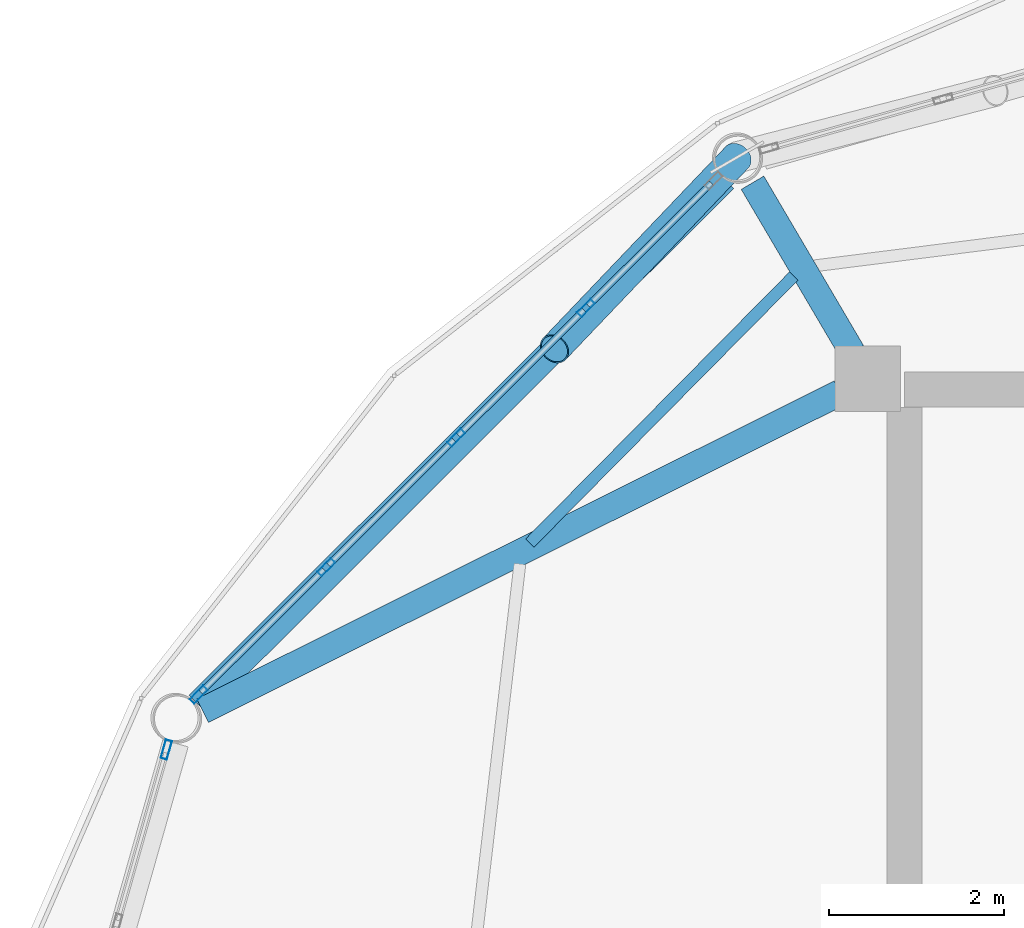
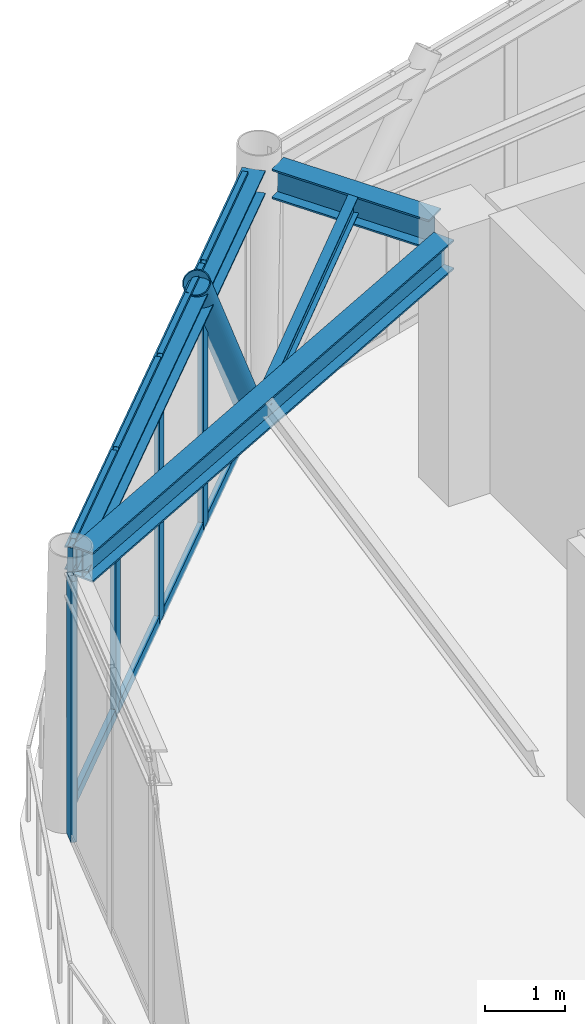
# One storey, part 10 of 21: 14 members, 4 beams, 2 elements without a shape of their own.
"""IFC4 building model written with IfcOpenShell, lengths in metres."""

from ifc_helpers import new_model, si_unit, direction, frame, origin, origin_2d, place, context, subcontext, project, spatial, hollow_rectangle, hollow_circle, i_section, extrude, material, layer, layer_set, material_profile, profile_set, type_object, element, aggregate, save


model = new_model("IFC4")

# Units and contexts
model_context = context("Model", 3, precision=1e-05, world=origin(), true_north=direction((0.0, 1.0)))
body_context = subcontext(model_context, "Body", "Model", "MODEL_VIEW")
ifc_project = project(units=[si_unit("LENGTHUNIT", "METRE"), si_unit("AREAUNIT", "SQUARE_METRE"), si_unit("VOLUMEUNIT", "CUBIC_METRE"), si_unit("PLANEANGLEUNIT", "RADIAN"), si_unit("MASSUNIT", "GRAM", prefix="KILO")], contexts=[model_context])

# Site, building, storey
site_placement = place(None, origin())
site = spatial("IfcSite", under=ifc_project, at=site_placement, CompositionType="ELEMENT")
building_placement = place(site_placement, origin())
building = spatial("IfcBuilding", under=site, at=building_placement, Name="Varnakorn Sky Granary", CompositionType="ELEMENT")
storey_placement = place(building_placement, frame((0.0, 0.0, 294.0)))
storey = spatial("IfcBuildingStorey", under=building, at=storey_placement, Name="L75", CompositionType="ELEMENT", Elevation=294.0)

# Beams
ifc_material_1 = material(Name="Steel S355JR", Category="steel")
ifc_material_profile_1 = material_profile(ifc_material_1, i_section(OverallWidth=0.300048828125, OverallDepth=0.449951171875, WebThickness=0.013916015625, FlangeThickness=0.02587890625, at=origin_2d()), Name="HE 450 B")
ifc_profile_set_1 = profile_set([ifc_material_profile_1], Name="Steel S355JR")
beam_type_1 = type_object("IfcBeamType", Name="BM-RAD-Z5", PredefinedType="BEAM", material=ifc_profile_set_1)
beam_1_placement = place(storey_placement, frame((-2.60009765625, 12.926025390625, 3.735107421875), z_axis=(-0.507067678946, 0.861906241402, 0.0), x_axis=(-0.861906241402, -0.507067678946, 0.0)))
element("IfcBeam", 1, at=beam_1_placement, inside=storey, type_object=beam_type_1, Name="Radial Floor Girder RG05 L75", PredefinedType="BEAM", context=body_context, shape_type="SweptSolid", body=[
    extrude(i_section(OverallWidth=0.300048828125, OverallDepth=0.449951171875, WebThickness=0.013916015625, FlangeThickness=0.02587890625, at=origin_2d()), origin(), (0.0, 0.0, 1.0), 2.24365234375),
])
beam_2_placement = place(storey_placement, frame((-2.73779296875, 12.46142578125, 3.735107421875), z_axis=(-0.894864759464, -0.446337386144, 0.0), x_axis=(0.446337386144, -0.894864759464, 0.0)))
element("IfcBeam", 2, at=beam_2_placement, inside=storey, type_object=beam_type_1, Name="Radial Floor Girder RG06 L75", PredefinedType="BEAM", context=body_context, shape_type="SweptSolid", body=[
    extrude(i_section(OverallWidth=0.300048828125, OverallDepth=0.449951171875, WebThickness=0.013916015625, FlangeThickness=0.02587890625, at=origin_2d()), origin(), (0.0, 0.0, 1.0), 8.13818359375),
])
ifc_material_profile_2 = material_profile(ifc_material_1, i_section(OverallWidth=0.135009765625, OverallDepth=0.27001953125, WebThickness=0.006591796875, FlangeThickness=0.01025390625, at=origin_2d()), Name="IPE 270")
ifc_profile_set_2 = profile_set([ifc_material_profile_2], Name="Steel S355JR")
beam_type_2 = type_object("IfcBeamType", Name="BM-SEC-Z5", PredefinedType="BEAM", material=ifc_profile_set_2)
beam_3_placement = place(storey_placement, frame((-3.267333984375, 13.79345703125, 3.824951171875), z_axis=(-0.702965329116, -0.711224118025, 0.0), x_axis=(0.711224118025, -0.702965329116, 0.0)))
element("IfcBeam", 3, at=beam_3_placement, inside=storey, type_object=beam_type_2, Name="Secondary Floor Chord Beam MSB05 L75", PredefinedType="BEAM", context=body_context, shape_type="SweptSolid", body=[
    extrude(i_section(OverallWidth=0.135009765625, OverallDepth=0.27001953125, WebThickness=0.006591796875, FlangeThickness=0.01025390625, at=origin_2d()), origin(), (0.0, 0.0, 1.0), 4.286376953125),
])
ifc_material_profile_3 = material_profile(ifc_material_1, i_section(OverallWidth=0.300048828125, OverallDepth=0.360107421875, WebThickness=0.012451171875, FlangeThickness=0.0224609375, at=origin_2d()), Name="HE 360 B")
ifc_profile_set_3 = profile_set([ifc_material_profile_3], Name="Steel S355JR")
beam_type_3 = type_object("IfcBeamType", Name="BM-SPD-Z5", PredefinedType="SPANDREL", material=ifc_profile_set_3)
beam_4_placement = place(storey_placement, frame((-4.05908203125, 14.90087890625, 3.780029296875), z_axis=(-0.707566463655, -0.706646799689, 0.0), x_axis=(0.706646799689, -0.707566463655, 0.0)))
element("IfcBeam", 4, at=beam_4_placement, inside=storey, type_object=beam_type_3, Name="Perimeter Spandrel Ring Beam RB05 L75", PredefinedType="SPANDREL", context=body_context, shape_type="SweptSolid", body=[
    extrude(i_section(OverallWidth=0.300048828125, OverallDepth=0.360107421875, WebThickness=0.012451171875, FlangeThickness=0.0224609375, at=origin_2d()), origin(), (0.0, 0.0, 1.0), 8.494873046875),
])

# Curtain wall, members
ifc_material_2 = material(Name="Anodised Bronze Aluminium Alloy 6063-T6", Category="aluminium")
ifc_layer = layer(ifc_material_2, 0.22998046875, Name="Anodised Bronze Aluminium Alloy 6063-T6")
ifc_layer_set = layer_set([ifc_layer], Name="Anodised Bronze Aluminium Alloy 6063-T6")
curtain_wall_type = type_object("IfcCurtainWallType", Name="CW-LNT-1", PredefinedType="USERDEFINED", material=ifc_layer_set)
curtain_wall_1_placement = place(storey_placement, origin())
curtain_wall_1 = element("IfcCurtainWall", 5, at=curtain_wall_1_placement, inside=storey, type_object=curtain_wall_type, Name="Unitised Curtain Wall CW7 CW-L75-B05", ObjectType="CURTAIN WALL", PredefinedType="USERDEFINED")
ifc_material_profile_4 = material_profile(ifc_material_2, hollow_rectangle(XDim=0.074951171875, YDim=0.219970703125, WallThickness=0.00390625, at=origin_2d()), Name="ALU MULL 75x220")
ifc_profile_set_4 = profile_set([ifc_material_profile_4], Name="Anodised Bronze Aluminium Alloy 6063-T6")
member_type_1 = type_object("IfcMemberType", Name="CW-LNT-1-MULL", PredefinedType="MULLION", material=ifc_profile_set_4)
member_1_placement = place(storey_placement, frame((-10.063720703125, 9.01318359375, 0.0), z_axis=(0.0, 0.0, 1.0), x_axis=(-0.706396880071, 0.70781597031, 0.0)))
member_1 = element("IfcMember", 6, at=member_1_placement, type_object=member_type_1, Name="CW7 mullion 1", PredefinedType="MULLION", context=body_context, shape_type="SweptSolid", body=[
    extrude(hollow_rectangle(XDim=0.074951171875, YDim=0.219970703125, WallThickness=0.00390625, at=origin_2d()), origin(), (0.0, 0.0, 1.0), 3.9599609375),
])
member_2_placement = place(storey_placement, frame((-8.6064453125, 10.4677734375, 0.0), z_axis=(0.0, 0.0, 1.0), x_axis=(-0.706396880071, 0.70781597031, 0.0)))
member_2 = element("IfcMember", 7, at=member_2_placement, type_object=member_type_1, Name="CW7 mullion 2", PredefinedType="MULLION", context=body_context, shape_type="SweptSolid", body=[
    extrude(hollow_rectangle(XDim=0.074951171875, YDim=0.219970703125, WallThickness=0.00390625, at=origin_2d()), origin(), (0.0, 0.0, 1.0), 3.9599609375),
])
member_3_placement = place(storey_placement, frame((-7.12255859375, 11.948486328125, 0.0), z_axis=(0.0, 0.0, 1.0), x_axis=(-0.706396880071, 0.70781597031, 0.0)))
member_3 = element("IfcMember", 8, at=member_3_placement, type_object=member_type_1, Name="CW7 mullion 3", PredefinedType="MULLION", context=body_context, shape_type="SweptSolid", body=[
    extrude(hollow_rectangle(XDim=0.074951171875, YDim=0.219970703125, WallThickness=0.00390625, at=origin_2d()), origin(), (0.0, 0.0, 1.0), 3.9599609375),
])
member_4_placement = place(storey_placement, frame((-5.638671875, 13.429443359375, 0.0), z_axis=(0.0, 0.0, 1.0), x_axis=(-0.706396880071, 0.70781597031, 0.0)))
member_4 = element("IfcMember", 9, at=member_4_placement, type_object=member_type_1, Name="CW7 mullion 4", PredefinedType="MULLION", context=body_context, shape_type="SweptSolid", body=[
    extrude(hollow_rectangle(XDim=0.074951171875, YDim=0.219970703125, WallThickness=0.00390625, at=origin_2d()), origin(), (0.0, 0.0, 1.0), 3.9599609375),
])

# Curtain wall, member
curtain_wall_2_placement = place(storey_placement, origin())
curtain_wall_2 = element("IfcCurtainWall", 10, at=curtain_wall_2_placement, inside=storey, type_object=curtain_wall_type, Name="Unitised Curtain Wall CW7 CW-L75-B06", ObjectType="CURTAIN WALL", PredefinedType="USERDEFINED")
member_5_placement = place(storey_placement, frame((-10.43359375, 8.38427734375, 0.0), z_axis=(0.0, 0.0, 1.0), x_axis=(-0.961978305633, 0.273125867489, 0.0)))
member_5 = element("IfcMember", 11, at=member_5_placement, type_object=member_type_1, Name="CW7 mullion 5", PredefinedType="MULLION", context=body_context, shape_type="SweptSolid", body=[
    extrude(hollow_rectangle(XDim=0.074951171875, YDim=0.219970703125, WallThickness=0.00390625, at=origin_2d()), origin(), (0.0, 0.0, 1.0), 3.9599609375),
])
aggregate(curtain_wall_2, [member_5])

# Member
ifc_material_profile_5 = material_profile(ifc_material_2, hollow_rectangle(XDim=0.074951171875, YDim=0.159912109375, WallThickness=0.00390625, at=origin_2d()), Name="ALU TRAN 75x160")
ifc_profile_set_5 = profile_set([ifc_material_profile_5], Name="Anodised Bronze Aluminium Alloy 6063-T6")
member_type_2 = type_object("IfcMemberType", Name="CW-LNT-1-TRAN", PredefinedType="USERDEFINED", material=ifc_profile_set_5)
member_6_placement = place(storey_placement, frame((-10.037109375, 9.039794921875, 0.03759765625), z_axis=(0.707783349642, 0.706429564762, 0.0), x_axis=(-0.706429564762, 0.707783349642, 0.0)))
member_6 = element("IfcMember", 12, at=member_6_placement, type_object=member_type_2, Name="CW7 transom 1.1", ObjectType="TRANSOM", PredefinedType="USERDEFINED", context=body_context, shape_type="SweptSolid", body=[
    extrude(hollow_rectangle(XDim=0.074951171875, YDim=0.159912109375, WallThickness=0.00390625, at=origin_2d()), origin(), (0.0, 0.0, 1.0), 1.983642578125),
])

member_7_placement = place(storey_placement, frame((-10.037109375, 9.039794921875, 3.922607421875), z_axis=(0.707783349642, 0.706429564762, 0.0), x_axis=(-0.706429564762, 0.707783349642, 0.0)))
member_7 = element("IfcMember", 13, at=member_7_placement, type_object=member_type_2, Name="CW7 transom 1.2", ObjectType="TRANSOM", PredefinedType="USERDEFINED", context=body_context, shape_type="SweptSolid", body=[
    extrude(hollow_rectangle(XDim=0.074951171875, YDim=0.159912109375, WallThickness=0.00390625, at=origin_2d()), origin(), (0.0, 0.0, 1.0), 1.983642578125),
])

member_8_placement = place(storey_placement, frame((-8.579833984375, 10.494140625, 0.03759765625), z_axis=(0.707770759115, 0.706442179192, 0.0), x_axis=(-0.706442179192, 0.707770759115, 0.0)))
member_8 = element("IfcMember", 14, at=member_8_placement, type_object=member_type_2, Name="CW7 transom 2.1", ObjectType="TRANSOM", PredefinedType="USERDEFINED", context=body_context, shape_type="SweptSolid", body=[
    extrude(hollow_rectangle(XDim=0.074951171875, YDim=0.159912109375, WallThickness=0.00390625, at=origin_2d()), origin(), (0.0, 0.0, 1.0), 2.021484375),
])

member_9_placement = place(storey_placement, frame((-8.579833984375, 10.494140625, 3.922607421875), z_axis=(0.707770759115, 0.706442179192, 0.0), x_axis=(-0.706442179192, 0.707770759115, 0.0)))
member_9 = element("IfcMember", 15, at=member_9_placement, type_object=member_type_2, Name="CW7 transom 2.2", ObjectType="TRANSOM", PredefinedType="USERDEFINED", context=body_context, shape_type="SweptSolid", body=[
    extrude(hollow_rectangle(XDim=0.074951171875, YDim=0.159912109375, WallThickness=0.00390625, at=origin_2d()), origin(), (0.0, 0.0, 1.0), 2.021484375),
])

member_10_placement = place(storey_placement, frame((-7.095947265625, 11.97509765625, 0.03759765625), z_axis=(0.707770759115, 0.706442179192, 0.0), x_axis=(-0.706442179192, 0.707770759115, 0.0)))
member_10 = element("IfcMember", 16, at=member_10_placement, type_object=member_type_2, Name="CW7 transom 3.1", ObjectType="TRANSOM", PredefinedType="USERDEFINED", context=body_context, shape_type="SweptSolid", body=[
    extrude(hollow_rectangle(XDim=0.074951171875, YDim=0.159912109375, WallThickness=0.00390625, at=origin_2d()), origin(), (0.0, 0.0, 1.0), 2.021484375),
])

member_11_placement = place(storey_placement, frame((-7.095947265625, 11.97509765625, 3.922607421875), z_axis=(0.707770759115, 0.706442179192, 0.0), x_axis=(-0.706442179192, 0.707770759115, 0.0)))
member_11 = element("IfcMember", 17, at=member_11_placement, type_object=member_type_2, Name="CW7 transom 3.2", ObjectType="TRANSOM", PredefinedType="USERDEFINED", context=body_context, shape_type="SweptSolid", body=[
    extrude(hollow_rectangle(XDim=0.074951171875, YDim=0.159912109375, WallThickness=0.00390625, at=origin_2d()), origin(), (0.0, 0.0, 1.0), 2.021484375),
])

member_12_placement = place(storey_placement, frame((-5.612060546875, 13.4560546875, 0.03759765625), z_axis=(0.707783349642, 0.706429564762, 0.0), x_axis=(-0.706429564762, 0.707783349642, 0.0)))
member_12 = element("IfcMember", 18, at=member_12_placement, type_object=member_type_2, Name="CW7 transom 4.1", ObjectType="TRANSOM", PredefinedType="USERDEFINED", context=body_context, shape_type="SweptSolid", body=[
    extrude(hollow_rectangle(XDim=0.074951171875, YDim=0.159912109375, WallThickness=0.00390625, at=origin_2d()), origin(), (0.0, 0.0, 1.0), 1.983642578125),
])

member_13_placement = place(storey_placement, frame((-5.612060546875, 13.4560546875, 3.922607421875), z_axis=(0.707783349642, 0.706429564762, 0.0), x_axis=(-0.706429564762, 0.707783349642, 0.0)))
member_13 = element("IfcMember", 19, at=member_13_placement, type_object=member_type_2, Name="CW7 transom 4.2", ObjectType="TRANSOM", PredefinedType="USERDEFINED", context=body_context, shape_type="SweptSolid", body=[
    extrude(hollow_rectangle(XDim=0.074951171875, YDim=0.159912109375, WallThickness=0.00390625, at=origin_2d()), origin(), (0.0, 0.0, 1.0), 1.983642578125),
])

aggregate(curtain_wall_1, [member_1, member_2, member_3, member_4, member_6, member_7, member_8, member_9, member_10, member_11, member_12, member_13])

ifc_material_3 = material(Name="Steel S460M", Category="steel")
ifc_material_profile_6 = material_profile(ifc_material_3, hollow_circle(Radius=0.177734375, WallThickness=0.01416015625, at=origin_2d()), Name="CHS 355.6x14")
ifc_profile_set_6 = profile_set([ifc_material_profile_6], Name="Steel S460M")
member_type_3 = type_object("IfcMemberType", Name="MB-DIAG-T5", PredefinedType="BRACE", material=ifc_profile_set_6)
member_14_placement = place(storey_placement, frame((-3.91455078125, 15.150146484375, 0.0), z_axis=(-0.410102930209, -0.430168835023, 0.804220342946), x_axis=(0.723786325921, -0.690024169439, 0.0)))
element("IfcMember", 20, at=member_14_placement, inside=storey, type_object=member_type_3, Name="Perimeter CHS Diagrid Brace DG05 L75", PredefinedType="BRACE", context=body_context, shape_type="SweptSolid", body=[
    extrude(hollow_circle(Radius=0.177734375, WallThickness=0.01416015625, at=origin_2d()), origin(), (0.0, 0.0, 1.0), 5.085693359375),
])

save(model, "model.ifc")
